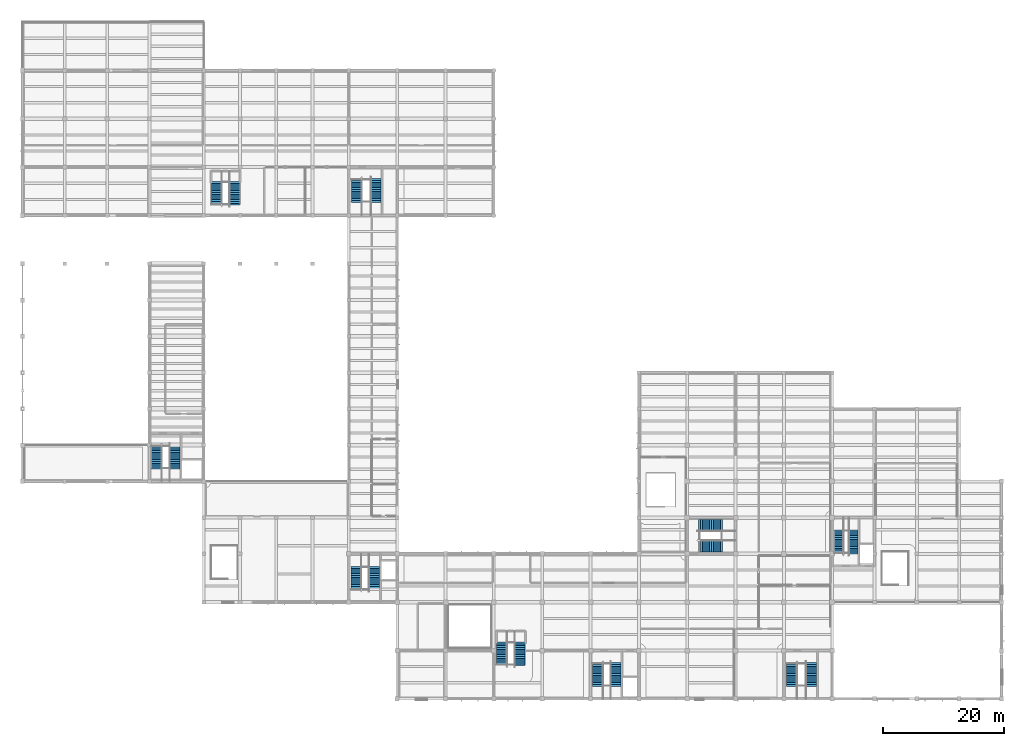
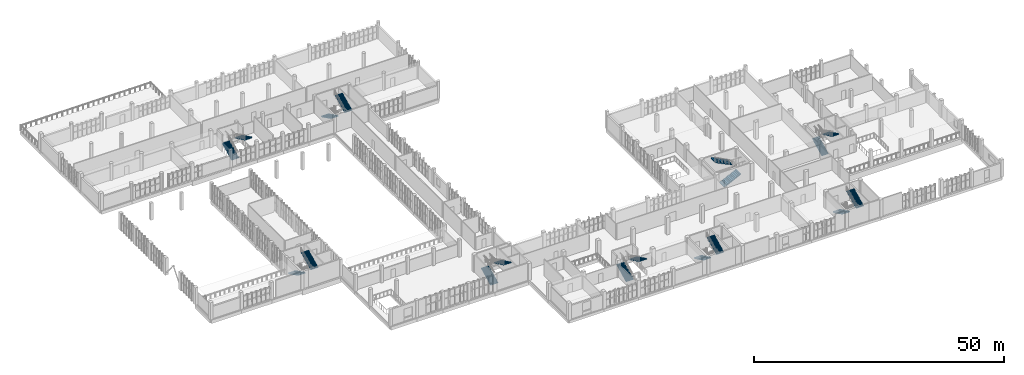
# One storey, part 69 of 85: 18 stair flights, 9 elements without a shape of their own.
"""IFC4 building model written with IfcOpenShell, lengths in metres."""

from ifc_helpers import new_model, si_unit, direction, frame, origin, place, context, subcontext, project, spatial, polyline, outline, extrude, material, type_object, element, aggregate, save


model = new_model("IFC4")

# Units and contexts
model_context = context("Model", 3, precision=1e-05, world=origin(), true_north=direction((0.0, 1.0)))
body_context = subcontext(model_context, "Body", "Model", "MODEL_VIEW")
ifc_project = project(units=[si_unit("LENGTHUNIT", "METRE"), si_unit("AREAUNIT", "SQUARE_METRE"), si_unit("VOLUMEUNIT", "CUBIC_METRE"), si_unit("PLANEANGLEUNIT", "RADIAN"), si_unit("MASSUNIT", "GRAM", prefix="KILO")], contexts=[model_context])

# Site, building, storey
site_placement = place(None, origin())
site = spatial("IfcSite", under=ifc_project, at=site_placement, CompositionType="ELEMENT")
building_placement = place(site_placement, origin())
building = spatial("IfcBuilding", under=site, at=building_placement, Name="Solvane Community Centre", CompositionType="ELEMENT")
storey_placement = place(building_placement, frame((0.0, 0.0, 5.39990234375)))
storey = spatial("IfcBuildingStorey", under=building, at=storey_placement, Name="L01", CompositionType="ELEMENT", Elevation=5.39990234375)

# Stair, stair flights
ifc_material = material(Name="Concrete C35/45", Category="concrete")
stair_type_1 = type_object("IfcStairType", Name="RC Two-Flight Escape Stair 1520mm", PredefinedType="TWO_STRAIGHT_RUN_STAIR", material=ifc_material)
stair_1_placement = place(storey_placement, origin())
stair_1 = element("IfcStair", 1, at=stair_1_placement, inside=storey, type_object=stair_type_1, Name="Stair STR-C6-L01", PredefinedType="TWO_STRAIGHT_RUN_STAIR")
stair_flight_type_1 = type_object("IfcStairFlightType", Name="RC Straight Stair Flight 1520mm", PredefinedType="STRAIGHT", material=ifc_material)
stair_flight_1_placement = place(storey_placement, frame((141.10009765625, 30.0, 0.0), z_axis=(0.0, 0.0, 1.0), x_axis=(0.0, 1.0, 0.0)))
stair_flight_1 = element("IfcStairFlight", 2, at=stair_flight_1_placement, type_object=stair_flight_type_1, Name="ST-04 flight 1", NumberOfRisers=14, NumberOfTreads=13, PredefinedType="STRAIGHT", RiserHeight=0.15, TreadLength=0.301538462, context=body_context, shape_type="SweptSolid", body=[
    extrude(outline(polyline([(0.0, 0.0), (0.0, 0.14990234375), (0.301513671875, 0.14990234375), (0.301513671875, 0.300048828125), (0.60302734375, 0.300048828125), (0.60302734375, 0.449951171875), (0.904541015625, 0.449951171875), (0.904541015625, 0.60009765625), (1.2060546875, 0.60009765625), (1.2060546875, 0.75), (1.5078125, 0.75), (1.5078125, 0.89990234375), (1.809326171875, 0.89990234375), (1.809326171875, 1.050048828125), (2.11083984375, 1.050048828125), (2.11083984375, 1.199951171875), (2.412353515625, 1.199951171875), (2.412353515625, 1.35009765625), (2.7138671875, 1.35009765625), (2.7138671875, 1.5), (3.015380859375, 1.5), (3.015380859375, 1.64990234375), (3.31689453125, 1.64990234375), (3.31689453125, 1.800048828125), (3.618408203125, 1.800048828125), (3.618408203125, 1.949951171875), (3.919921875, 1.949951171875), (3.919921875, 2.10009765625), (3.919921875, 1.771484375), (0.359130859375, 0.0), (0.0, 0.0)])), frame((0.0, 0.760009765625, 0.0), z_axis=(0.0, -1.0, 0.0), x_axis=(1.0, 0.0, 0.0)), (0.0, 0.0, 1.0), 1.52001953125),
])
stair_flight_2_placement = place(storey_placement, frame((143.5, 33.919921875, 2.10009765625), z_axis=(0.0, 0.0, 1.0), x_axis=(0.0, -1.0, 0.0)))
stair_flight_2 = element("IfcStairFlight", 3, at=stair_flight_2_placement, type_object=stair_flight_type_1, Name="ST-04 flight 2", NumberOfRisers=14, NumberOfTreads=13, PredefinedType="STRAIGHT", RiserHeight=0.15, TreadLength=0.301538462, context=body_context, shape_type="SweptSolid", body=[
    extrude(outline(polyline([(0.0, 0.0), (0.0, 0.14990234375), (0.301513671875, 0.14990234375), (0.301513671875, 0.300048828125), (0.60302734375, 0.300048828125), (0.60302734375, 0.449951171875), (0.904541015625, 0.449951171875), (0.904541015625, 0.60009765625), (1.2060546875, 0.60009765625), (1.2060546875, 0.75), (1.5078125, 0.75), (1.5078125, 0.89990234375), (1.809326171875, 0.89990234375), (1.809326171875, 1.050048828125), (2.11083984375, 1.050048828125), (2.11083984375, 1.199951171875), (2.412353515625, 1.199951171875), (2.412353515625, 1.35009765625), (2.7138671875, 1.35009765625), (2.7138671875, 1.5), (3.015380859375, 1.5), (3.015380859375, 1.64990234375), (3.31689453125, 1.64990234375), (3.31689453125, 1.800048828125), (3.618408203125, 1.800048828125), (3.618408203125, 1.949951171875), (3.919921875, 1.949951171875), (3.919921875, 2.10009765625), (3.919921875, 1.771484375), (0.359130859375, 0.0), (0.0, 0.0)])), frame((0.0, 0.760009765625, 0.0), z_axis=(0.0, -1.0, 0.0), x_axis=(1.0, 0.0, 0.0)), (0.0, 0.0, 1.0), 1.52001953125),
])
aggregate(stair_1, [stair_flight_1, stair_flight_2])

stair_type_2 = type_object("IfcStairType", Name="RC Two-Flight Escape Stair 1720mm", PredefinedType="TWO_STRAIGHT_RUN_STAIR", material=ifc_material)
stair_2_placement = place(storey_placement, origin())
stair_2 = element("IfcStair", 4, at=stair_2_placement, inside=storey, type_object=stair_type_2, Name="Stair STR-C1-L01", PredefinedType="TWO_STRAIGHT_RUN_STAIR")
stair_flight_type_2 = type_object("IfcStairFlightType", Name="RC Straight Stair Flight 1720mm", PredefinedType="STRAIGHT", material=ifc_material)
stair_flight_3_placement = place(storey_placement, frame((61.199951171875, 24.0, 0.0), z_axis=(0.0, 0.0, 1.0), x_axis=(0.0, 1.0, 0.0)))
stair_flight_3 = element("IfcStairFlight", 5, at=stair_flight_3_placement, type_object=stair_flight_type_2, Name="ST-01 flight 1", NumberOfRisers=14, NumberOfTreads=13, PredefinedType="STRAIGHT", RiserHeight=0.15, TreadLength=0.301538462, context=body_context, shape_type="SweptSolid", body=[
    extrude(outline(polyline([(0.0, 0.0), (0.0, 0.14990234375), (0.301513671875, 0.14990234375), (0.301513671875, 0.300048828125), (0.60302734375, 0.300048828125), (0.60302734375, 0.449951171875), (0.904541015625, 0.449951171875), (0.904541015625, 0.60009765625), (1.2060546875, 0.60009765625), (1.2060546875, 0.75), (1.5078125, 0.75), (1.5078125, 0.89990234375), (1.809326171875, 0.89990234375), (1.809326171875, 1.050048828125), (2.11083984375, 1.050048828125), (2.11083984375, 1.199951171875), (2.412353515625, 1.199951171875), (2.412353515625, 1.35009765625), (2.7138671875, 1.35009765625), (2.7138671875, 1.5), (3.015380859375, 1.5), (3.015380859375, 1.64990234375), (3.31689453125, 1.64990234375), (3.31689453125, 1.800048828125), (3.618408203125, 1.800048828125), (3.618408203125, 1.949951171875), (3.919921875, 1.949951171875), (3.919921875, 2.10009765625), (3.919921875, 1.771484375), (0.359130859375, 0.0), (0.0, 0.0)])), frame((0.0, 0.85986328125, 0.0), z_axis=(0.0, -1.0, 0.0), x_axis=(1.0, 0.0, 0.0)), (0.0, 0.0, 1.0), 1.719970703125),
])
stair_flight_4_placement = place(storey_placement, frame((64.199951171875, 27.919921875, 2.10009765625), z_axis=(0.0, 0.0, 1.0), x_axis=(0.0, -1.0, 0.0)))
stair_flight_4 = element("IfcStairFlight", 6, at=stair_flight_4_placement, type_object=stair_flight_type_2, Name="ST-01 flight 2", NumberOfRisers=14, NumberOfTreads=13, PredefinedType="STRAIGHT", RiserHeight=0.15, TreadLength=0.301538462, context=body_context, shape_type="SweptSolid", body=[
    extrude(outline(polyline([(0.0, 0.0), (0.0, 0.14990234375), (0.301513671875, 0.14990234375), (0.301513671875, 0.300048828125), (0.60302734375, 0.300048828125), (0.60302734375, 0.449951171875), (0.904541015625, 0.449951171875), (0.904541015625, 0.60009765625), (1.2060546875, 0.60009765625), (1.2060546875, 0.75), (1.5078125, 0.75), (1.5078125, 0.89990234375), (1.809326171875, 0.89990234375), (1.809326171875, 1.050048828125), (2.11083984375, 1.050048828125), (2.11083984375, 1.199951171875), (2.412353515625, 1.199951171875), (2.412353515625, 1.35009765625), (2.7138671875, 1.35009765625), (2.7138671875, 1.5), (3.015380859375, 1.5), (3.015380859375, 1.64990234375), (3.31689453125, 1.64990234375), (3.31689453125, 1.800048828125), (3.618408203125, 1.800048828125), (3.618408203125, 1.949951171875), (3.919921875, 1.949951171875), (3.919921875, 2.10009765625), (3.919921875, 1.771484375), (0.359130859375, 0.0), (0.0, 0.0)])), frame((0.0, 0.85986328125, 0.0), z_axis=(0.0, -1.0, 0.0), x_axis=(1.0, 0.0, 0.0)), (0.0, 0.0, 1.0), 1.719970703125),
])
aggregate(stair_2, [stair_flight_3, stair_flight_4])

stair_3_placement = place(storey_placement, origin())
stair_3 = element("IfcStair", 7, at=stair_3_placement, inside=storey, type_object=stair_type_2, Name="Stair STR-C2-L01", PredefinedType="TWO_STRAIGHT_RUN_STAIR")
stair_flight_5_placement = place(storey_placement, frame((101.199951171875, 12.0, 0.0), z_axis=(0.0, 0.0, 1.0), x_axis=(0.0, -1.0, 0.0)))
stair_flight_5 = element("IfcStairFlight", 8, at=stair_flight_5_placement, type_object=stair_flight_type_2, Name="ST-02 flight 1", NumberOfRisers=14, NumberOfTreads=13, PredefinedType="STRAIGHT", RiserHeight=0.15, TreadLength=0.301538462, context=body_context, shape_type="SweptSolid", body=[
    extrude(outline(polyline([(0.0, 0.0), (0.0, 0.14990234375), (0.301513671875, 0.14990234375), (0.301513671875, 0.300048828125), (0.60302734375, 0.300048828125), (0.60302734375, 0.449951171875), (0.904541015625, 0.449951171875), (0.904541015625, 0.60009765625), (1.2060546875, 0.60009765625), (1.2060546875, 0.75), (1.5078125, 0.75), (1.5078125, 0.89990234375), (1.809326171875, 0.89990234375), (1.809326171875, 1.050048828125), (2.11083984375, 1.050048828125), (2.11083984375, 1.199951171875), (2.412353515625, 1.199951171875), (2.412353515625, 1.35009765625), (2.7138671875, 1.35009765625), (2.7138671875, 1.5), (3.015380859375, 1.5), (3.015380859375, 1.64990234375), (3.31689453125, 1.64990234375), (3.31689453125, 1.800048828125), (3.618408203125, 1.800048828125), (3.618408203125, 1.949951171875), (3.919921875, 1.949951171875), (3.919921875, 2.10009765625), (3.919921875, 1.771484375), (0.359130859375, 0.0), (0.0, 0.0)])), frame((0.0, 0.85986328125, 0.0), z_axis=(0.0, -1.0, 0.0), x_axis=(1.0, 0.0, 0.0)), (0.0, 0.0, 1.0), 1.719970703125),
])
stair_flight_6_placement = place(storey_placement, frame((104.199951171875, 8.080078125, 2.10009765625), z_axis=(0.0, 0.0, 1.0), x_axis=(0.0, 1.0, 0.0)))
stair_flight_6 = element("IfcStairFlight", 9, at=stair_flight_6_placement, type_object=stair_flight_type_2, Name="ST-02 flight 2", NumberOfRisers=14, NumberOfTreads=13, PredefinedType="STRAIGHT", RiserHeight=0.15, TreadLength=0.301538462, context=body_context, shape_type="SweptSolid", body=[
    extrude(outline(polyline([(0.0, 0.0), (0.0, 0.14990234375), (0.301513671875, 0.14990234375), (0.301513671875, 0.300048828125), (0.60302734375, 0.300048828125), (0.60302734375, 0.449951171875), (0.904541015625, 0.449951171875), (0.904541015625, 0.60009765625), (1.2060546875, 0.60009765625), (1.2060546875, 0.75), (1.5078125, 0.75), (1.5078125, 0.89990234375), (1.809326171875, 0.89990234375), (1.809326171875, 1.050048828125), (2.11083984375, 1.050048828125), (2.11083984375, 1.199951171875), (2.412353515625, 1.199951171875), (2.412353515625, 1.35009765625), (2.7138671875, 1.35009765625), (2.7138671875, 1.5), (3.015380859375, 1.5), (3.015380859375, 1.64990234375), (3.31689453125, 1.64990234375), (3.31689453125, 1.800048828125), (3.618408203125, 1.800048828125), (3.618408203125, 1.949951171875), (3.919921875, 1.949951171875), (3.919921875, 2.10009765625), (3.919921875, 1.771484375), (0.359130859375, 0.0), (0.0, 0.0)])), frame((0.0, 0.85986328125, 0.0), z_axis=(0.0, -1.0, 0.0), x_axis=(1.0, 0.0, 0.0)), (0.0, 0.0, 1.0), 1.719970703125),
])
aggregate(stair_3, [stair_flight_5, stair_flight_6])

stair_4_placement = place(storey_placement, origin())
stair_4 = element("IfcStair", 10, at=stair_4_placement, inside=storey, type_object=stair_type_2, Name="Stair STR-C3-L01", PredefinedType="TWO_STRAIGHT_RUN_STAIR")
stair_flight_7_placement = place(storey_placement, frame((133.300048828125, 12.0, 0.0), z_axis=(0.0, 0.0, 1.0), x_axis=(0.0, -1.0, 0.0)))
stair_flight_7 = element("IfcStairFlight", 11, at=stair_flight_7_placement, type_object=stair_flight_type_2, Name="ST-05 flight 1", NumberOfRisers=14, NumberOfTreads=13, PredefinedType="STRAIGHT", RiserHeight=0.15, TreadLength=0.301538462, context=body_context, shape_type="SweptSolid", body=[
    extrude(outline(polyline([(0.0, 0.0), (0.0, 0.14990234375), (0.301513671875, 0.14990234375), (0.301513671875, 0.300048828125), (0.60302734375, 0.300048828125), (0.60302734375, 0.449951171875), (0.904541015625, 0.449951171875), (0.904541015625, 0.60009765625), (1.2060546875, 0.60009765625), (1.2060546875, 0.75), (1.5078125, 0.75), (1.5078125, 0.89990234375), (1.809326171875, 0.89990234375), (1.809326171875, 1.050048828125), (2.11083984375, 1.050048828125), (2.11083984375, 1.199951171875), (2.412353515625, 1.199951171875), (2.412353515625, 1.35009765625), (2.7138671875, 1.35009765625), (2.7138671875, 1.5), (3.015380859375, 1.5), (3.015380859375, 1.64990234375), (3.31689453125, 1.64990234375), (3.31689453125, 1.800048828125), (3.618408203125, 1.800048828125), (3.618408203125, 1.949951171875), (3.919921875, 1.949951171875), (3.919921875, 2.10009765625), (3.919921875, 1.771484375), (0.359130859375, 0.0), (0.0, 0.0)])), frame((0.0, 0.85986328125, 0.0), z_axis=(0.0, -1.0, 0.0), x_axis=(1.0, 0.0, 0.0)), (0.0, 0.0, 1.0), 1.719970703125),
])
stair_flight_8_placement = place(storey_placement, frame((136.5, 8.080078125, 2.10009765625), z_axis=(0.0, 0.0, 1.0), x_axis=(0.0, 1.0, 0.0)))
stair_flight_8 = element("IfcStairFlight", 12, at=stair_flight_8_placement, type_object=stair_flight_type_2, Name="ST-05 flight 2", NumberOfRisers=14, NumberOfTreads=13, PredefinedType="STRAIGHT", RiserHeight=0.15, TreadLength=0.301538462, context=body_context, shape_type="SweptSolid", body=[
    extrude(outline(polyline([(0.0, 0.0), (0.0, 0.14990234375), (0.301513671875, 0.14990234375), (0.301513671875, 0.300048828125), (0.60302734375, 0.300048828125), (0.60302734375, 0.449951171875), (0.904541015625, 0.449951171875), (0.904541015625, 0.60009765625), (1.2060546875, 0.60009765625), (1.2060546875, 0.75), (1.5078125, 0.75), (1.5078125, 0.89990234375), (1.809326171875, 0.89990234375), (1.809326171875, 1.050048828125), (2.11083984375, 1.050048828125), (2.11083984375, 1.199951171875), (2.412353515625, 1.199951171875), (2.412353515625, 1.35009765625), (2.7138671875, 1.35009765625), (2.7138671875, 1.5), (3.015380859375, 1.5), (3.015380859375, 1.64990234375), (3.31689453125, 1.64990234375), (3.31689453125, 1.800048828125), (3.618408203125, 1.800048828125), (3.618408203125, 1.949951171875), (3.919921875, 1.949951171875), (3.919921875, 2.10009765625), (3.919921875, 1.771484375), (0.359130859375, 0.0), (0.0, 0.0)])), frame((0.0, 0.85986328125, 0.0), z_axis=(0.0, -1.0, 0.0), x_axis=(1.0, 0.0, 0.0)), (0.0, 0.0, 1.0), 1.719970703125),
])
aggregate(stair_4, [stair_flight_7, stair_flight_8])

stair_5_placement = place(storey_placement, origin())
stair_5 = element("IfcStair", 13, at=stair_5_placement, inside=storey, type_object=stair_type_2, Name="Stair STR-C5-L01", PredefinedType="TWO_STRAIGHT_RUN_STAIR")
stair_flight_9_placement = place(storey_placement, frame((28.199951171875, 48.0, 0.0), z_axis=(0.0, 0.0, 1.0), x_axis=(0.0, -1.0, 0.0)))
stair_flight_9 = element("IfcStairFlight", 14, at=stair_flight_9_placement, type_object=stair_flight_type_2, Name="ST-03 flight 1", NumberOfRisers=14, NumberOfTreads=13, PredefinedType="STRAIGHT", RiserHeight=0.15, TreadLength=0.301538462, context=body_context, shape_type="SweptSolid", body=[
    extrude(outline(polyline([(0.0, 0.0), (0.0, 0.14990234375), (0.301513671875, 0.14990234375), (0.301513671875, 0.300048828125), (0.60302734375, 0.300048828125), (0.60302734375, 0.449951171875), (0.904541015625, 0.449951171875), (0.904541015625, 0.60009765625), (1.2060546875, 0.60009765625), (1.2060546875, 0.75), (1.5078125, 0.75), (1.5078125, 0.89990234375), (1.809326171875, 0.89990234375), (1.809326171875, 1.050048828125), (2.11083984375, 1.050048828125), (2.11083984375, 1.199951171875), (2.412353515625, 1.199951171875), (2.412353515625, 1.35009765625), (2.7138671875, 1.35009765625), (2.7138671875, 1.5), (3.015380859375, 1.5), (3.015380859375, 1.64990234375), (3.31689453125, 1.64990234375), (3.31689453125, 1.800048828125), (3.618408203125, 1.800048828125), (3.618408203125, 1.949951171875), (3.919921875, 1.949951171875), (3.919921875, 2.10009765625), (3.919921875, 1.771484375), (0.359130859375, 0.0), (0.0, 0.0)])), frame((0.0, 0.85986328125, 0.0), z_axis=(0.0, -1.0, 0.0), x_axis=(1.0, 0.0, 0.0)), (0.0, 0.0, 1.0), 1.719970703125),
])
stair_flight_10_placement = place(storey_placement, frame((31.199951171875, 44.080078125, 2.10009765625), z_axis=(0.0, 0.0, 1.0), x_axis=(0.0, 1.0, 0.0)))
stair_flight_10 = element("IfcStairFlight", 15, at=stair_flight_10_placement, type_object=stair_flight_type_2, Name="ST-03 flight 2", NumberOfRisers=14, NumberOfTreads=13, PredefinedType="STRAIGHT", RiserHeight=0.15, TreadLength=0.301538462, context=body_context, shape_type="SweptSolid", body=[
    extrude(outline(polyline([(0.0, 0.0), (0.0, 0.14990234375), (0.301513671875, 0.14990234375), (0.301513671875, 0.300048828125), (0.60302734375, 0.300048828125), (0.60302734375, 0.449951171875), (0.904541015625, 0.449951171875), (0.904541015625, 0.60009765625), (1.2060546875, 0.60009765625), (1.2060546875, 0.75), (1.5078125, 0.75), (1.5078125, 0.89990234375), (1.809326171875, 0.89990234375), (1.809326171875, 1.050048828125), (2.11083984375, 1.050048828125), (2.11083984375, 1.199951171875), (2.412353515625, 1.199951171875), (2.412353515625, 1.35009765625), (2.7138671875, 1.35009765625), (2.7138671875, 1.5), (3.015380859375, 1.5), (3.015380859375, 1.64990234375), (3.31689453125, 1.64990234375), (3.31689453125, 1.800048828125), (3.618408203125, 1.800048828125), (3.618408203125, 1.949951171875), (3.919921875, 1.949951171875), (3.919921875, 2.10009765625), (3.919921875, 1.771484375), (0.359130859375, 0.0), (0.0, 0.0)])), frame((0.0, 0.85986328125, 0.0), z_axis=(0.0, -1.0, 0.0), x_axis=(1.0, 0.0, 0.0)), (0.0, 0.0, 1.0), 1.719970703125),
])
aggregate(stair_5, [stair_flight_9, stair_flight_10])

stair_6_placement = place(storey_placement, origin())
stair_6 = element("IfcStair", 16, at=stair_6_placement, inside=storey, type_object=stair_type_2, Name="Stair STR-C7-L01", PredefinedType="TWO_STRAIGHT_RUN_STAIR")
stair_flight_11_placement = place(storey_placement, frame((61.300048828125, 92.10009765625, 0.0), z_axis=(0.0, 0.0, 1.0), x_axis=(0.0, -1.0, 0.0)))
stair_flight_11 = element("IfcStairFlight", 17, at=stair_flight_11_placement, type_object=stair_flight_type_2, Name="ST-07 flight 1", NumberOfRisers=14, NumberOfTreads=13, PredefinedType="STRAIGHT", RiserHeight=0.15, TreadLength=0.301538462, context=body_context, shape_type="SweptSolid", body=[
    extrude(outline(polyline([(0.0, 0.0), (0.0, 0.14990234375), (0.301513671875, 0.14990234375), (0.301513671875, 0.300048828125), (0.60302734375, 0.300048828125), (0.60302734375, 0.449951171875), (0.904541015625, 0.449951171875), (0.904541015625, 0.60009765625), (1.2060546875, 0.60009765625), (1.2060546875, 0.75), (1.5078125, 0.75), (1.5078125, 0.89990234375), (1.809326171875, 0.89990234375), (1.809326171875, 1.050048828125), (2.11083984375, 1.050048828125), (2.11083984375, 1.199951171875), (2.412353515625, 1.199951171875), (2.412353515625, 1.35009765625), (2.7138671875, 1.35009765625), (2.7138671875, 1.5), (3.015380859375, 1.5), (3.015380859375, 1.64990234375), (3.31689453125, 1.64990234375), (3.31689453125, 1.800048828125), (3.618408203125, 1.800048828125), (3.618408203125, 1.949951171875), (3.919921875, 1.949951171875), (3.919921875, 2.10009765625), (3.919921875, 1.771484375), (0.359130859375, 0.0), (0.0, 0.0)])), frame((0.0, 0.85986328125, 0.0), z_axis=(0.0, -1.0, 0.0), x_axis=(1.0, 0.0, 0.0)), (0.0, 0.0, 1.0), 1.719970703125),
])
stair_flight_12_placement = place(storey_placement, frame((64.5, 88.179931640625, 2.10009765625), z_axis=(0.0, 0.0, 1.0), x_axis=(0.0, 1.0, 0.0)))
stair_flight_12 = element("IfcStairFlight", 18, at=stair_flight_12_placement, type_object=stair_flight_type_2, Name="ST-07 flight 2", NumberOfRisers=14, NumberOfTreads=13, PredefinedType="STRAIGHT", RiserHeight=0.15, TreadLength=0.301538462, context=body_context, shape_type="SweptSolid", body=[
    extrude(outline(polyline([(0.0, 0.0), (0.0, 0.14990234375), (0.301513671875, 0.14990234375), (0.301513671875, 0.300048828125), (0.60302734375, 0.300048828125), (0.60302734375, 0.449951171875), (0.904541015625, 0.449951171875), (0.904541015625, 0.60009765625), (1.2060546875, 0.60009765625), (1.2060546875, 0.75), (1.5078125, 0.75), (1.5078125, 0.89990234375), (1.809326171875, 0.89990234375), (1.809326171875, 1.050048828125), (2.11083984375, 1.050048828125), (2.11083984375, 1.199951171875), (2.412353515625, 1.199951171875), (2.412353515625, 1.35009765625), (2.7138671875, 1.35009765625), (2.7138671875, 1.5), (3.015380859375, 1.5), (3.015380859375, 1.64990234375), (3.31689453125, 1.64990234375), (3.31689453125, 1.800048828125), (3.618408203125, 1.800048828125), (3.618408203125, 1.949951171875), (3.919921875, 1.949951171875), (3.919921875, 2.10009765625), (3.919921875, 1.771484375), (0.359130859375, 0.0), (0.0, 0.0)])), frame((0.0, 0.85986328125, 0.0), z_axis=(0.0, -1.0, 0.0), x_axis=(1.0, 0.0, 0.0)), (0.0, 0.0, 1.0), 1.719970703125),
])
aggregate(stair_6, [stair_flight_11, stair_flight_12])

stair_7_placement = place(storey_placement, origin())
stair_7 = element("IfcStair", 19, at=stair_7_placement, inside=storey, type_object=stair_type_2, Name="Stair STR-LIB-L01", PredefinedType="TWO_STRAIGHT_RUN_STAIR")
stair_flight_13_placement = place(storey_placement, frame((85.300048828125, 11.5, 0.0), z_axis=(0.0, 0.0, 1.0), x_axis=(0.0, 1.0, 0.0)))
stair_flight_13 = element("IfcStairFlight", 20, at=stair_flight_13_placement, type_object=stair_flight_type_2, Name="ST-09 flight 1", NumberOfRisers=14, NumberOfTreads=13, PredefinedType="STRAIGHT", RiserHeight=0.15, TreadLength=0.301538462, context=body_context, shape_type="SweptSolid", body=[
    extrude(outline(polyline([(0.0, 0.0), (0.0, 0.14990234375), (0.301513671875, 0.14990234375), (0.301513671875, 0.300048828125), (0.60302734375, 0.300048828125), (0.60302734375, 0.449951171875), (0.904541015625, 0.449951171875), (0.904541015625, 0.60009765625), (1.2060546875, 0.60009765625), (1.2060546875, 0.75), (1.5078125, 0.75), (1.5078125, 0.89990234375), (1.809326171875, 0.89990234375), (1.809326171875, 1.050048828125), (2.11083984375, 1.050048828125), (2.11083984375, 1.199951171875), (2.412353515625, 1.199951171875), (2.412353515625, 1.35009765625), (2.7138671875, 1.35009765625), (2.7138671875, 1.5), (3.015380859375, 1.5), (3.015380859375, 1.64990234375), (3.31689453125, 1.64990234375), (3.31689453125, 1.800048828125), (3.618408203125, 1.800048828125), (3.618408203125, 1.949951171875), (3.919921875, 1.949951171875), (3.919921875, 2.10009765625), (3.919921875, 1.771484375), (0.359130859375, 0.0), (0.0, 0.0)])), frame((0.0, 0.85986328125, 0.0), z_axis=(0.0, -1.0, 0.0), x_axis=(1.0, 0.0, 0.0)), (0.0, 0.0, 1.0), 1.719970703125),
])
stair_flight_14_placement = place(storey_placement, frame((88.300048828125, 15.419921875, 2.10009765625), z_axis=(0.0, 0.0, 1.0), x_axis=(0.0, -1.0, 0.0)))
stair_flight_14 = element("IfcStairFlight", 21, at=stair_flight_14_placement, type_object=stair_flight_type_2, Name="ST-09 flight 2", NumberOfRisers=14, NumberOfTreads=13, PredefinedType="STRAIGHT", RiserHeight=0.15, TreadLength=0.301538462, context=body_context, shape_type="SweptSolid", body=[
    extrude(outline(polyline([(0.0, 0.0), (0.0, 0.14990234375), (0.301513671875, 0.14990234375), (0.301513671875, 0.300048828125), (0.60302734375, 0.300048828125), (0.60302734375, 0.449951171875), (0.904541015625, 0.449951171875), (0.904541015625, 0.60009765625), (1.2060546875, 0.60009765625), (1.2060546875, 0.75), (1.5078125, 0.75), (1.5078125, 0.89990234375), (1.809326171875, 0.89990234375), (1.809326171875, 1.050048828125), (2.11083984375, 1.050048828125), (2.11083984375, 1.199951171875), (2.412353515625, 1.199951171875), (2.412353515625, 1.35009765625), (2.7138671875, 1.35009765625), (2.7138671875, 1.5), (3.015380859375, 1.5), (3.015380859375, 1.64990234375), (3.31689453125, 1.64990234375), (3.31689453125, 1.800048828125), (3.618408203125, 1.800048828125), (3.618408203125, 1.949951171875), (3.919921875, 1.949951171875), (3.919921875, 2.10009765625), (3.919921875, 1.771484375), (0.359130859375, 0.0), (0.0, 0.0)])), frame((0.0, 0.85986328125, 0.0), z_axis=(0.0, -1.0, 0.0), x_axis=(1.0, 0.0, 0.0)), (0.0, 0.0, 1.0), 1.719970703125),
])
aggregate(stair_7, [stair_flight_13, stair_flight_14])

stair_8_placement = place(storey_placement, origin())
stair_8 = element("IfcStair", 22, at=stair_8_placement, inside=storey, type_object=stair_type_2, Name="Stair STR-NUR-L01", PredefinedType="TWO_STRAIGHT_RUN_STAIR")
stair_flight_15_placement = place(storey_placement, frame((38.10009765625, 87.699951171875, 0.0), z_axis=(0.0, 0.0, 1.0), x_axis=(0.0, 1.0, 0.0)))
stair_flight_15 = element("IfcStairFlight", 23, at=stair_flight_15_placement, type_object=stair_flight_type_2, Name="ST-12 flight 1", NumberOfRisers=14, NumberOfTreads=13, PredefinedType="STRAIGHT", RiserHeight=0.15, TreadLength=0.301538462, context=body_context, shape_type="SweptSolid", body=[
    extrude(outline(polyline([(0.0, 0.0), (0.0, 0.14990234375), (0.301513671875, 0.14990234375), (0.301513671875, 0.300048828125), (0.60302734375, 0.300048828125), (0.60302734375, 0.449951171875), (0.904541015625, 0.449951171875), (0.904541015625, 0.60009765625), (1.2060546875, 0.60009765625), (1.2060546875, 0.75), (1.5078125, 0.75), (1.5078125, 0.89990234375), (1.809326171875, 0.89990234375), (1.809326171875, 1.050048828125), (2.11083984375, 1.050048828125), (2.11083984375, 1.199951171875), (2.412353515625, 1.199951171875), (2.412353515625, 1.35009765625), (2.7138671875, 1.35009765625), (2.7138671875, 1.5), (3.015380859375, 1.5), (3.015380859375, 1.64990234375), (3.31689453125, 1.64990234375), (3.31689453125, 1.800048828125), (3.618408203125, 1.800048828125), (3.618408203125, 1.949951171875), (3.919921875, 1.949951171875), (3.919921875, 2.10009765625), (3.919921875, 1.771484375), (0.359130859375, 0.0), (0.0, 0.0)])), frame((0.0, 0.85986328125, 0.0), z_axis=(0.0, -1.0, 0.0), x_axis=(1.0, 0.0, 0.0)), (0.0, 0.0, 1.0), 1.719970703125),
])
stair_flight_16_placement = place(storey_placement, frame((41.10009765625, 91.6201171875, 2.10009765625), z_axis=(0.0, 0.0, 1.0), x_axis=(0.0, -1.0, 0.0)))
stair_flight_16 = element("IfcStairFlight", 24, at=stair_flight_16_placement, type_object=stair_flight_type_2, Name="ST-12 flight 2", NumberOfRisers=14, NumberOfTreads=13, PredefinedType="STRAIGHT", RiserHeight=0.15, TreadLength=0.301538462, context=body_context, shape_type="SweptSolid", body=[
    extrude(outline(polyline([(0.0, 0.0), (0.0, 0.14990234375), (0.301513671875, 0.14990234375), (0.301513671875, 0.300048828125), (0.60302734375, 0.300048828125), (0.60302734375, 0.449951171875), (0.904541015625, 0.449951171875), (0.904541015625, 0.60009765625), (1.2060546875, 0.60009765625), (1.2060546875, 0.75), (1.5078125, 0.75), (1.5078125, 0.89990234375), (1.809326171875, 0.89990234375), (1.809326171875, 1.050048828125), (2.11083984375, 1.050048828125), (2.11083984375, 1.199951171875), (2.412353515625, 1.199951171875), (2.412353515625, 1.35009765625), (2.7138671875, 1.35009765625), (2.7138671875, 1.5), (3.015380859375, 1.5), (3.015380859375, 1.64990234375), (3.31689453125, 1.64990234375), (3.31689453125, 1.800048828125), (3.618408203125, 1.800048828125), (3.618408203125, 1.949951171875), (3.919921875, 1.949951171875), (3.919921875, 2.10009765625), (3.919921875, 1.771484375), (0.359130859375, 0.0), (0.0, 0.0)])), frame((0.0, 0.85986328125, 0.0), z_axis=(0.0, -1.0, 0.0), x_axis=(1.0, 0.0, 0.0)), (0.0, 0.0, 1.0), 1.719970703125),
])
aggregate(stair_8, [stair_flight_15, stair_flight_16])

stair_type_3 = type_object("IfcStairType", Name="RC Two-Flight Escape Stair 1880mm", PredefinedType="TWO_STRAIGHT_RUN_STAIR", material=ifc_material)
stair_9_placement = place(storey_placement, origin())
stair_9 = element("IfcStair", 25, at=stair_9_placement, inside=storey, type_object=stair_type_3, Name="Stair STR-C4-L01", PredefinedType="TWO_STRAIGHT_RUN_STAIR")
stair_flight_type_3 = type_object("IfcStairFlightType", Name="RC Straight Stair Flight 1880mm", PredefinedType="STRAIGHT", material=ifc_material)
stair_flight_17_placement = place(storey_placement, frame((117.89990234375, 31.280029296875, 0.0), z_axis=(0.0, 0.0, 1.0), x_axis=(1.0, 0.0, 0.0)))
stair_flight_17 = element("IfcStairFlight", 26, at=stair_flight_17_placement, type_object=stair_flight_type_3, Name="ST-06 flight 1", NumberOfRisers=14, NumberOfTreads=13, PredefinedType="STRAIGHT", RiserHeight=0.15, TreadLength=0.301538462, context=body_context, shape_type="SweptSolid", body=[
    extrude(outline(polyline([(0.0, 0.0), (0.0, 0.14990234375), (0.301513671875, 0.14990234375), (0.301513671875, 0.300048828125), (0.60302734375, 0.300048828125), (0.60302734375, 0.449951171875), (0.904541015625, 0.449951171875), (0.904541015625, 0.60009765625), (1.2060546875, 0.60009765625), (1.2060546875, 0.75), (1.5078125, 0.75), (1.5078125, 0.89990234375), (1.809326171875, 0.89990234375), (1.809326171875, 1.050048828125), (2.11083984375, 1.050048828125), (2.11083984375, 1.199951171875), (2.412353515625, 1.199951171875), (2.412353515625, 1.35009765625), (2.7138671875, 1.35009765625), (2.7138671875, 1.5), (3.015380859375, 1.5), (3.015380859375, 1.64990234375), (3.31689453125, 1.64990234375), (3.31689453125, 1.800048828125), (3.618408203125, 1.800048828125), (3.618408203125, 1.949951171875), (3.919921875, 1.949951171875), (3.919921875, 2.10009765625), (3.919921875, 1.771484375), (0.359130859375, 0.0), (0.0, 0.0)])), frame((0.0, 0.93994140625, 0.0), z_axis=(0.0, -1.0, 0.0), x_axis=(1.0, 0.0, 0.0)), (0.0, 0.0, 1.0), 1.8798828125),
])
stair_flight_18_placement = place(storey_placement, frame((121.820068359375, 34.719970703125, 2.10009765625), z_axis=(0.0, 0.0, 1.0), x_axis=(-1.0, 0.0, 0.0)))
stair_flight_18 = element("IfcStairFlight", 27, at=stair_flight_18_placement, type_object=stair_flight_type_3, Name="ST-06 flight 2", NumberOfRisers=14, NumberOfTreads=13, PredefinedType="STRAIGHT", RiserHeight=0.15, TreadLength=0.301538462, context=body_context, shape_type="SweptSolid", body=[
    extrude(outline(polyline([(0.0, 0.0), (0.0, 0.14990234375), (0.301513671875, 0.14990234375), (0.301513671875, 0.300048828125), (0.60302734375, 0.300048828125), (0.60302734375, 0.449951171875), (0.904541015625, 0.449951171875), (0.904541015625, 0.60009765625), (1.2060546875, 0.60009765625), (1.2060546875, 0.75), (1.5078125, 0.75), (1.5078125, 0.89990234375), (1.809326171875, 0.89990234375), (1.809326171875, 1.050048828125), (2.11083984375, 1.050048828125), (2.11083984375, 1.199951171875), (2.412353515625, 1.199951171875), (2.412353515625, 1.35009765625), (2.7138671875, 1.35009765625), (2.7138671875, 1.5), (3.015380859375, 1.5), (3.015380859375, 1.64990234375), (3.31689453125, 1.64990234375), (3.31689453125, 1.800048828125), (3.618408203125, 1.800048828125), (3.618408203125, 1.949951171875), (3.919921875, 1.949951171875), (3.919921875, 2.10009765625), (3.919921875, 1.771484375), (0.359130859375, 0.0), (0.0, 0.0)])), frame((0.0, 0.93994140625, 0.0), z_axis=(0.0, -1.0, 0.0), x_axis=(1.0, 0.0, 0.0)), (0.0, 0.0, 1.0), 1.8798828125),
])
aggregate(stair_9, [stair_flight_17, stair_flight_18])

save(model, "model.ifc")
